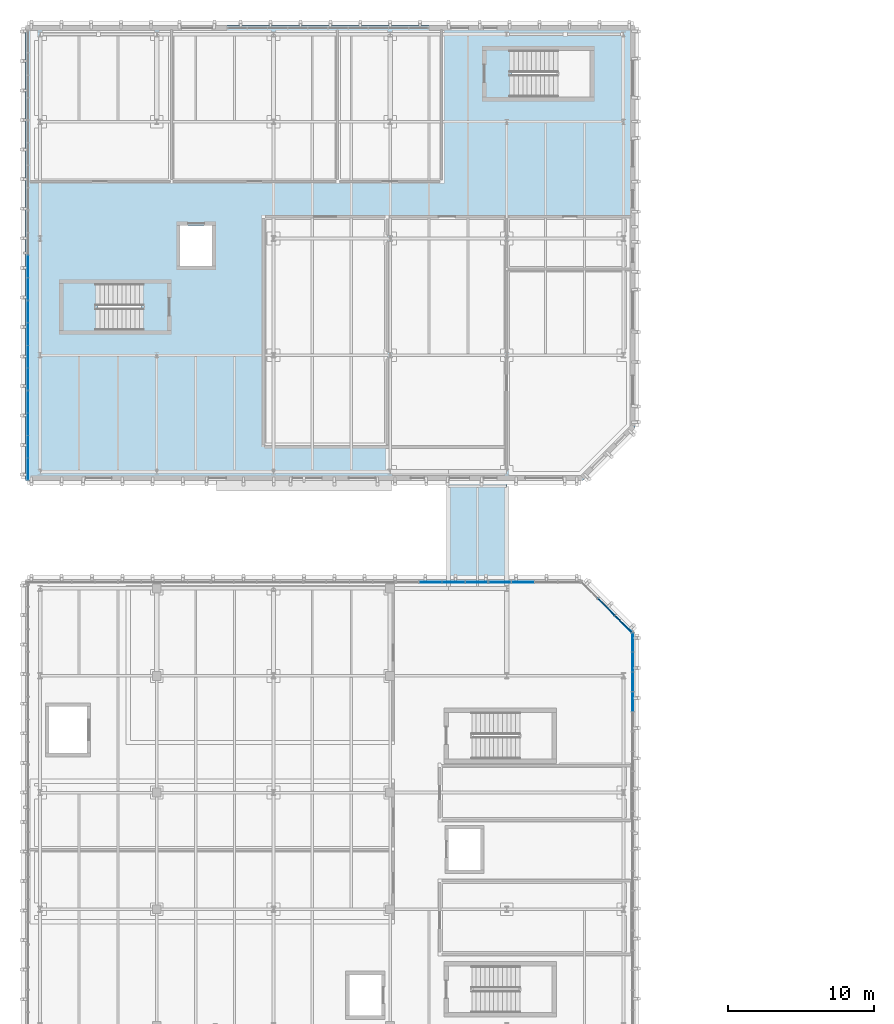
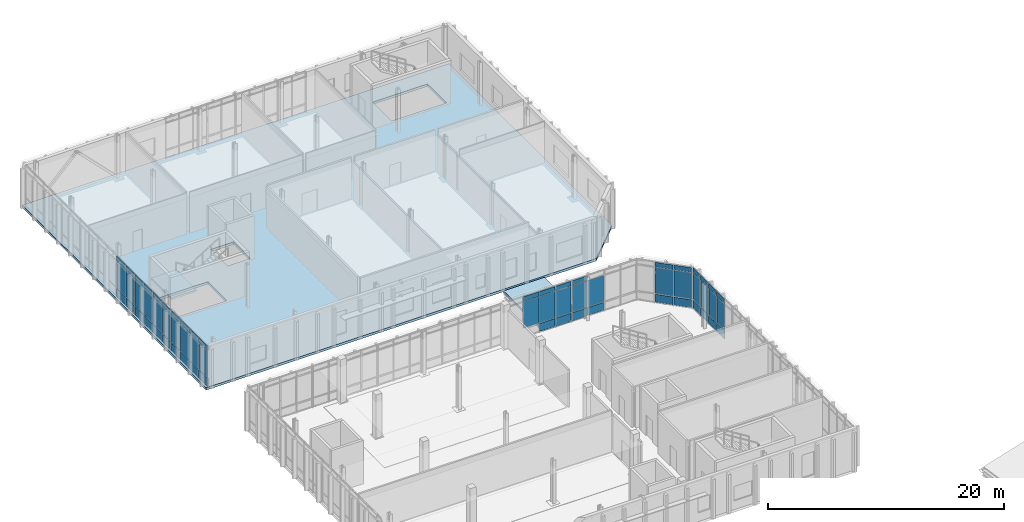
# One storey, part 33 of 62: 61 plates, 3 slabs, 8 elements without a shape of their own.
"""IFC4 building model written with IfcOpenShell, lengths in metres."""

import ifcopenshell
import ifcopenshell.guid

model = None  # the IFC model being written
_history = None  # IfcOwnerHistory: only IFC2X3 demands one
_inside = {}  # id of a spatial element -> (the spatial element, [elements in it])
_under = {}  # id of a project, library or spatial element -> (it, [spatial elements below it])
_declared = {}  # id of a project -> (the project, [libraries it declares])
_typed = {}  # id of a type object -> (the type object, [elements of that type])
_made_of = {}  # id of a material, layer set ... -> (it, [elements and type objects made of it])


def new_model(schema):
    """Start an empty IFC model of exactly this schema.

    Asked for "IFC4X3", IfcOpenShell would pick the latest addendum, in which some entities
    have other attributes; the version numbers below select the first issue.
    IFC2X3 requires an IfcOwnerHistory on every rooted entity: one is made here for all.
    """
    global model, _history
    if schema == "IFC4X3":
        model = ifcopenshell.file(schema_version=(4, 3, 0, 0))
    else:
        model = ifcopenshell.file(schema=schema)
    _inside.clear()
    _under.clear()
    _declared.clear()
    _typed.clear()
    _made_of.clear()
    _history = None
    if model.schema == "IFC2X3":
        org = make("IfcOrganization", Name="unknown")
        user = make(
            "IfcPersonAndOrganization",
            ThePerson=make("IfcPerson", FamilyName="unknown"),
            TheOrganization=org,
        )
        app = make(
            "IfcApplication",
            ApplicationDeveloper=org,
            Version="unknown",
            ApplicationFullName="unknown",
            ApplicationIdentifier="unknown",
        )
        _history = make(
            "IfcOwnerHistory",
            OwningUser=user,
            OwningApplication=app,
            ChangeAction="ADDED",
            CreationDate=0,
        )
    return model


def make(cls, **values):
    """One entity of the class cls with the attributes given. An attribute that is None is left unset."""
    return model.create_entity(
        cls, **{name: value for name, value in values.items() if value is not None}
    )


def rooted(cls, **values):
    """An entity with a GlobalId (a new one), such as an element, a storey or a relation."""
    return make(cls, GlobalId=ifcopenshell.guid.new(), OwnerHistory=_history, **values)


def si_unit(unit_type, name, prefix=None):
    """IfcSIUnit, for example si_unit("LENGTHUNIT", "METRE", prefix="MILLI")."""
    return make("IfcSIUnit", UnitType=unit_type, Prefix=prefix, Name=name)


def assignment(units):
    """IfcUnitAssignment: the units of a project."""
    return None if units is None else make("IfcUnitAssignment", Units=units)


def point(xyz):
    """IfcCartesianPoint."""
    return None if xyz is None else make("IfcCartesianPoint", Coordinates=xyz)


def direction(xyz):
    """IfcDirection."""
    return None if xyz is None else make("IfcDirection", DirectionRatios=xyz)


def frame(location, z_axis=None, x_axis=None):
    """IfcAxis2Placement3D, a coordinate frame: its origin and axes. An axis left out is left unset."""
    return make(
        "IfcAxis2Placement3D",
        Location=point(location),
        Axis=direction(z_axis),
        RefDirection=direction(x_axis),
    )


def frame_2d(location, x_axis=None):
    """IfcAxis2Placement2D, a coordinate frame in the plane: its origin and x axis."""
    return make(
        "IfcAxis2Placement2D", Location=point(location), RefDirection=direction(x_axis)
    )


def origin():
    """The frame at (0, 0, 0) with its axes left unset."""
    return frame((0.0, 0.0, 0.0))


def origin_2d():
    """The frame at (0, 0) in the plane with its x axis left unset."""
    return frame_2d((0.0, 0.0))


def place(relative_to, where):
    """IfcLocalPlacement: puts the frame where relative to a parent placement (None: the world)."""
    return make(
        "IfcLocalPlacement", PlacementRelTo=relative_to, RelativePlacement=where
    )


def context(
    kind, dimensions, precision=None, world=None, true_north=None, identifier=None
):
    """IfcGeometricRepresentationContext, for example the 3D "Model" context."""
    return make(
        "IfcGeometricRepresentationContext",
        ContextIdentifier=identifier,
        ContextType=kind,
        CoordinateSpaceDimension=dimensions,
        Precision=precision,
        WorldCoordinateSystem=world,
        TrueNorth=true_north,
    )


def subcontext(parent, identifier, kind, view, scale=None):
    """IfcGeometricRepresentationSubContext, for example "Body" below "Model"."""
    return make(
        "IfcGeometricRepresentationSubContext",
        ContextIdentifier=identifier,
        ContextType=kind,
        ParentContext=parent,
        TargetScale=scale,
        TargetView=view,
    )


def project(units=None, contexts=None):
    """IfcProject with its units and contexts."""
    return rooted(
        "IfcProject",
        Name="project",
        RepresentationContexts=contexts,
        UnitsInContext=assignment(units),
    )


def spatial(cls, under=None, at=None, **own):
    """A site, building, storey or space (cls), placed at a placement, below another one or the project."""
    s = rooted(cls, ObjectPlacement=at, **own)
    if under is not None:
        _under.setdefault(under.id(), (under, []))[1].append(s)
    return s


def polyline(points):
    """IfcPolyline through the points."""
    return make("IfcPolyline", Points=[point(p) for p in points])


def profile(cls, at=None, kind="AREA", **sizes):
    """A parametric profile (cls). Its sizes go by their IFC names, for example OverallWidth=200.0."""
    return make(cls, ProfileType=kind, Position=at, **sizes)


def rectangle(**sizes):
    """IfcRectangleProfileDef."""
    return profile("IfcRectangleProfileDef", **sizes)


def outline(outer, holes=None, kind="AREA"):
    """IfcArbitraryClosedProfileDef: a profile drawn as a closed curve; with holes, ...WithVoids."""
    if holes is None:
        return make("IfcArbitraryClosedProfileDef", ProfileType=kind, OuterCurve=outer)
    return make(
        "IfcArbitraryProfileDefWithVoids",
        ProfileType=kind,
        OuterCurve=outer,
        InnerCurves=holes,
    )


def extrude(swept, where, along, depth):
    """IfcExtrudedAreaSolid: the profile swept, set in the frame where, extruded along a direction by depth."""
    return make(
        "IfcExtrudedAreaSolid",
        SweptArea=swept,
        Position=where,
        ExtrudedDirection=direction(along),
        Depth=depth,
    )


def shape(context_of_items, identifier, shape_type, items):
    """IfcShapeRepresentation: the items that make up one representation, for example the "Body"."""
    return make(
        "IfcShapeRepresentation",
        ContextOfItems=context_of_items,
        RepresentationIdentifier=identifier,
        RepresentationType=shape_type,
        Items=items,
    )


def material(Name=None, Category=None):
    """IfcMaterial."""
    return make("IfcMaterial", Name=Name, Category=Category)


def layer(
    of_material, thickness, ventilated=None, Name=None, Category=None, Priority=None
):
    """IfcMaterialLayer: one layer of a wall or slab, of a material (None: an air gap)."""
    return make(
        "IfcMaterialLayer",
        Material=of_material,
        LayerThickness=thickness,
        IsVentilated=ventilated,
        Name=Name,
        Category=Category,
        Priority=Priority,
    )


def layer_set(layers, Name=None):
    """IfcMaterialLayerSet."""
    return make("IfcMaterialLayerSet", MaterialLayers=layers, LayerSetName=Name)


def made_of(thing, what):
    """Note that an element or type object is made of a material, layer set ...; save() writes the relation."""
    if what is not None:
        _made_of.setdefault(what.id(), (what, []))[1].append(thing)
    return thing


def type_object(cls, material=None, **own):
    """A type object (cls), such as IfcWallType, which elements share."""
    return made_of(rooted(cls, **own), material)


def element(
    cls,
    number,
    at=None,
    inside=None,
    cuts=None,
    type_object=None,
    material=None,
    context=None,
    identifier="Body",
    shape_type=None,
    held_by="IfcProductDefinitionShape",
    body=None,
    shapes=None,
    **own,
):
    """One element of the class cls, such as IfcWall. Its Tag is "e" and its number.

    at: its placement. inside: the storey or other place that contains it. cuts: it is an
    opening in that element (IfcRelVoidsElement). A single representation is given by context,
    identifier, shape_type and body (its items); several are given by shapes. held_by: the class
    of the entity that holds the representations. save() writes the other relations.
    """
    e = rooted(cls, Tag="e%d" % number, ObjectPlacement=at, **own)
    if body is not None:
        shapes = [shape(context, identifier, shape_type, body)]
    if shapes is not None:
        e.Representation = make(held_by, Representations=shapes)
    if inside is not None:
        _inside.setdefault(inside.id(), (inside, []))[1].append(e)
    if cuts is not None:
        rooted(
            "IfcRelVoidsElement", RelatingBuildingElement=cuts, RelatedOpeningElement=e
        )
    if type_object is not None:
        _typed.setdefault(type_object.id(), (type_object, []))[1].append(e)
    return made_of(e, material)


def aggregate(whole, parts):
    """IfcRelAggregates: a whole, such as a stair, and the parts it consists of."""
    return rooted("IfcRelAggregates", RelatingObject=whole, RelatedObjects=parts)


def save(model, path):
    """Write the relations noted so far, then the file.

    IfcRelAggregates (storeys below a building ...), IfcRelContainedInSpatialStructure (elements
    in a storey), IfcRelDefinesByType, IfcRelAssociatesMaterial and IfcRelDeclares: one each for
    every whole, place, type object, material and project.
    """
    for whole, parts in _under.values():
        aggregate(whole, parts)
    for where, things in _inside.values():
        rooted(
            "IfcRelContainedInSpatialStructure",
            RelatedElements=things,
            RelatingStructure=where,
        )
    for kind, things in _typed.values():
        rooted("IfcRelDefinesByType", RelatedObjects=things, RelatingType=kind)
    for what, things in _made_of.values():
        rooted("IfcRelAssociatesMaterial", RelatedObjects=things, RelatingMaterial=what)
    for by, libraries in _declared.values():
        rooted("IfcRelDeclares", RelatingContext=by, RelatedDefinitions=libraries)
    model.write(path)


model = new_model("IFC4")

# Units and contexts
model_context = context("Model", 3, precision=1e-05, world=origin(), true_north=direction((0.0, 1.0)))
body_context = subcontext(model_context, "Body", "Model", "MODEL_VIEW")
ifc_project = project(units=[si_unit("LENGTHUNIT", "METRE"), si_unit("AREAUNIT", "SQUARE_METRE"), si_unit("VOLUMEUNIT", "CUBIC_METRE"), si_unit("PLANEANGLEUNIT", "RADIAN"), si_unit("MASSUNIT", "GRAM", prefix="KILO")], contexts=[model_context])

# Site, building, storey
site_placement = place(None, origin())
site = spatial("IfcSite", under=ifc_project, at=site_placement, CompositionType="ELEMENT")
building_placement = place(site_placement, origin())
building = spatial("IfcBuilding", under=site, at=building_placement, Name="Cymarion Research Institute", CompositionType="ELEMENT")
storey_placement = place(building_placement, frame((0.0, 0.0, 18.300048828125)))
storey = spatial("IfcBuildingStorey", under=building, at=storey_placement, Name="L04", CompositionType="ELEMENT", Elevation=18.300048828125)

# Slab
ifc_material_1 = material(Name="Concrete C35/45", Category="concrete")
ifc_layer_1 = layer(ifc_material_1, 0.25)
ifc_layer_set_1 = layer_set([ifc_layer_1], Name="Concrete C35/45")
slab_type_1 = type_object("IfcSlabType", Name="COMPOSITE FLOOR SLAB SL-FL250 250MM", PredefinedType="FLOOR", material=ifc_layer_set_1)
slab_1_placement = place(storey_placement, frame((0.0, 0.0, -0.25)))
element("IfcSlab", 1, at=slab_1_placement, inside=storey, type_object=slab_type_1, Name="L04 V5 floor slab", PredefinedType="FLOOR", context=body_context, shape_type="SweptSolid", body=[
    extrude(outline(polyline([(5.60009765625, 84.89990234375), (43.800048828125, 84.89990234375), (47.39990234375, 88.5), (47.39990234375, 116.10009765625), (5.60009765625, 116.10009765625), (5.60009765625, 84.89990234375)]), holes=[polyline([(13.56005859375, 98.39990234375), (8.199951171875, 98.39990234375), (8.199951171875, 95.199951171875), (13.56005859375, 95.199951171875), (13.56005859375, 98.39990234375)]), polyline([(16.199951171875, 99.60009765625), (18.39990234375, 99.60009765625), (18.39990234375, 102.39990234375), (16.199951171875, 102.39990234375), (16.199951171875, 99.60009765625)]), polyline([(38.93994140625, 111.199951171875), (44.300048828125, 111.199951171875), (44.300048828125, 114.39990234375), (38.93994140625, 114.39990234375), (38.93994140625, 111.199951171875)])]), origin(), (0.0, 0.0, 1.0), 0.25),
])

# Curtain wall, plates
ifc_material_2 = material(Name="Anodised aluminium unitised curtain wall with Low-E glazing", Category="aluminium")
curtain_wall_type_1 = type_object("IfcCurtainWallType", Name="UNITISED CURTAIN WALL CW40 6820X4280", PredefinedType="NOTDEFINED", material=ifc_material_2)
curtain_wall_1_placement = place(storey_placement, origin())
curtain_wall_1 = element("IfcCurtainWall", 2, at=curtain_wall_1_placement, inside=storey, type_object=curtain_wall_type_1, Name="L04 V4 unitised curtain wall CW40 #180", PredefinedType="NOTDEFINED")
ifc_material_3 = material(Name="Insulated anodised aluminium spandrel panel", Category="aluminium")
ifc_layer_2 = layer(ifc_material_3, 0.06005859375)
ifc_layer_set_2 = layer_set([ifc_layer_2], Name="Insulated anodised aluminium spandrel panel")
plate_type_1 = type_object("IfcPlateType", Name="INSULATED ALUMINIUM SPANDREL PANEL SP01 60MM", PredefinedType="SHEET", material=ifc_layer_set_2)
plate_1_placement = place(storey_placement, frame((47.22998046875, 69.726318359375, 0.059814453125), z_axis=(0.0, 0.0, 1.0), x_axis=(0.0, 1.0, 0.0)))
plate_1 = element("IfcPlate", 3, at=plate_1_placement, type_object=plate_type_1, Name="CW40 panel 2.1", PredefinedType="SHEET", context=body_context, shape_type="SweptSolid", body=[
    extrude(rectangle(XDim=1.303955078125, YDim=0.06005859375, at=origin_2d()), origin(), (0.0, 0.0, 1.0), 0.81005859375),
])
plate_2_placement = place(storey_placement, frame((47.22998046875, 69.726318359375, 3.760009765625), z_axis=(0.0, 0.0, 1.0), x_axis=(0.0, 1.0, 0.0)))
plate_2 = element("IfcPlate", 4, at=plate_2_placement, type_object=plate_type_1, Name="CW40 panel 2.3", PredefinedType="SHEET", context=body_context, shape_type="SweptSolid", body=[
    extrude(rectangle(XDim=1.303955078125, YDim=0.06005859375, at=origin_2d()), origin(), (0.0, 0.0, 1.0), 0.4599609375),
])
plate_3_placement = place(storey_placement, frame((47.22998046875, 71.09033203125, 0.059814453125), z_axis=(0.0, 0.0, 1.0), x_axis=(0.0, 1.0, 0.0)))
plate_3 = element("IfcPlate", 5, at=plate_3_placement, type_object=plate_type_1, Name="CW40 panel 3.1", PredefinedType="SHEET", context=body_context, shape_type="SweptSolid", body=[
    extrude(rectangle(XDim=1.303955078125, YDim=0.06005859375, at=origin_2d()), origin(), (0.0, 0.0, 1.0), 0.81005859375),
])
plate_4_placement = place(storey_placement, frame((47.22998046875, 71.09033203125, 3.760009765625), z_axis=(0.0, 0.0, 1.0), x_axis=(0.0, 1.0, 0.0)))
plate_4 = element("IfcPlate", 6, at=plate_4_placement, type_object=plate_type_1, Name="CW40 panel 3.3", PredefinedType="SHEET", context=body_context, shape_type="SweptSolid", body=[
    extrude(rectangle(XDim=1.303955078125, YDim=0.06005859375, at=origin_2d()), origin(), (0.0, 0.0, 1.0), 0.4599609375),
])
plate_5_placement = place(storey_placement, frame((47.22998046875, 72.4541015625, 0.059814453125), z_axis=(0.0, 0.0, 1.0), x_axis=(0.0, 1.0, 0.0)))
plate_5 = element("IfcPlate", 7, at=plate_5_placement, type_object=plate_type_1, Name="CW40 panel 4.1", PredefinedType="SHEET", context=body_context, shape_type="SweptSolid", body=[
    extrude(rectangle(XDim=1.303955078125, YDim=0.06005859375, at=origin_2d()), origin(), (0.0, 0.0, 1.0), 0.81005859375),
])
plate_6_placement = place(storey_placement, frame((47.22998046875, 72.4541015625, 3.760009765625), z_axis=(0.0, 0.0, 1.0), x_axis=(0.0, 1.0, 0.0)))
plate_6 = element("IfcPlate", 8, at=plate_6_placement, type_object=plate_type_1, Name="CW40 panel 4.3", PredefinedType="SHEET", context=body_context, shape_type="SweptSolid", body=[
    extrude(rectangle(XDim=1.303955078125, YDim=0.06005859375, at=origin_2d()), origin(), (0.0, 0.0, 1.0), 0.4599609375),
])
plate_7_placement = place(storey_placement, frame((47.22998046875, 73.802978515625, 0.059814453125), z_axis=(0.0, 0.0, 1.0), x_axis=(0.0, 1.0, 0.0)))
plate_7 = element("IfcPlate", 9, at=plate_7_placement, type_object=plate_type_1, Name="CW40 panel 5.1", PredefinedType="SHEET", context=body_context, shape_type="SweptSolid", body=[
    extrude(rectangle(XDim=1.27392578125, YDim=0.06005859375, at=origin_2d()), origin(), (0.0, 0.0, 1.0), 0.81005859375),
])
plate_8_placement = place(storey_placement, frame((47.22998046875, 73.802978515625, 3.760009765625), z_axis=(0.0, 0.0, 1.0), x_axis=(0.0, 1.0, 0.0)))
plate_8 = element("IfcPlate", 10, at=plate_8_placement, type_object=plate_type_1, Name="CW40 panel 5.3", PredefinedType="SHEET", context=body_context, shape_type="SweptSolid", body=[
    extrude(rectangle(XDim=1.27392578125, YDim=0.06005859375, at=origin_2d()), origin(), (0.0, 0.0, 1.0), 0.4599609375),
])

curtain_wall_type_2 = type_object("IfcCurtainWallType", Name="UNITISED CURTAIN WALL CW41 4970X4240", PredefinedType="NOTDEFINED", material=ifc_material_2)
curtain_wall_2_placement = place(storey_placement, origin())
curtain_wall_2 = element("IfcCurtainWall", 11, at=curtain_wall_2_placement, inside=storey, type_object=curtain_wall_type_2, Name="L04 V4 unitised curtain wall CW41 #181", PredefinedType="NOTDEFINED")
plate_9_placement = place(storey_placement, frame((46.5966796875, 75.062744140625, 0.059814453125), z_axis=(0.0, 0.0, 1.0), x_axis=(-0.707096717405, 0.707116844825, 0.0)))
plate_9 = element("IfcPlate", 12, at=plate_9_placement, type_object=plate_type_1, Name="CW41 panel 1.1", PredefinedType="SHEET", context=body_context, shape_type="SweptSolid", body=[
    extrude(rectangle(XDim=1.566162109375, YDim=0.06005859375, at=origin_2d()), origin(), (0.0, 0.0, 1.0), 0.81005859375),
])
plate_10_placement = place(storey_placement, frame((46.5966796875, 75.062744140625, 3.719970703125), z_axis=(0.0, 0.0, 1.0), x_axis=(-0.707096717405, 0.707116844825, 0.0)))
plate_10 = element("IfcPlate", 13, at=plate_10_placement, type_object=plate_type_1, Name="CW41 panel 1.3", PredefinedType="SHEET", context=body_context, shape_type="SweptSolid", body=[
    extrude(rectangle(XDim=1.566162109375, YDim=0.06005859375, at=origin_2d()), origin(), (0.0, 0.0, 1.0), 0.4599609375),
])
plate_11_placement = place(storey_placement, frame((45.436279296875, 76.22314453125, 0.059814453125), z_axis=(0.0, 0.0, 1.0), x_axis=(-0.707096717405, 0.707116844825, 0.0)))
plate_11 = element("IfcPlate", 14, at=plate_11_placement, type_object=plate_type_1, Name="CW41 panel 2.1", PredefinedType="SHEET", context=body_context, shape_type="SweptSolid", body=[
    extrude(rectangle(XDim=1.59619140625, YDim=0.06005859375, at=origin_2d()), origin(), (0.0, 0.0, 1.0), 0.81005859375),
])
plate_12_placement = place(storey_placement, frame((45.436279296875, 76.22314453125, 3.719970703125), z_axis=(0.0, 0.0, 1.0), x_axis=(-0.707096717405, 0.707116844825, 0.0)))
plate_12 = element("IfcPlate", 15, at=plate_12_placement, type_object=plate_type_1, Name="CW41 panel 2.3", PredefinedType="SHEET", context=body_context, shape_type="SweptSolid", body=[
    extrude(rectangle(XDim=1.59619140625, YDim=0.06005859375, at=origin_2d()), origin(), (0.0, 0.0, 1.0), 0.4599609375),
])

curtain_wall_type_3 = type_object("IfcCurtainWallType", Name="UNITISED CURTAIN WALL CW42 6350X4240", PredefinedType="NOTDEFINED", material=ifc_material_2)
curtain_wall_3_placement = place(storey_placement, origin())
curtain_wall_3 = element("IfcCurtainWall", 16, at=curtain_wall_3_placement, inside=storey, type_object=curtain_wall_type_3, Name="L04 V4 unitised curtain wall CW42 #182", PredefinedType="NOTDEFINED")
plate_13_placement = place(storey_placement, frame((39.7109375, 77.929931640625, 0.059814453125), z_axis=(0.0, 0.0, 1.0), x_axis=(-1.0, 0.0, 0.0)))
plate_13 = element("IfcPlate", 17, at=plate_13_placement, type_object=plate_type_1, Name="CW42 panel 3.1", PredefinedType="SHEET", context=body_context, shape_type="SweptSolid", body=[
    extrude(rectangle(XDim=1.526611328125, YDim=0.06005859375, at=origin_2d()), origin(), (0.0, 0.0, 1.0), 0.81005859375),
])
plate_14_placement = place(storey_placement, frame((38.13916015625, 77.929931640625, 0.059814453125), z_axis=(0.0, 0.0, 1.0), x_axis=(-1.0, 0.0, 0.0)))
plate_14 = element("IfcPlate", 18, at=plate_14_placement, type_object=plate_type_1, Name="CW42 panel 4.1", PredefinedType="SHEET", context=body_context, shape_type="SweptSolid", body=[
    extrude(rectangle(XDim=1.49658203125, YDim=0.06005859375, at=origin_2d()), origin(), (0.0, 0.0, 1.0), 0.81005859375),
])
plate_15_placement = place(storey_placement, frame((38.13916015625, 77.929931640625, 3.719970703125), z_axis=(0.0, 0.0, 1.0), x_axis=(-1.0, 0.0, 0.0)))
plate_15 = element("IfcPlate", 19, at=plate_15_placement, type_object=plate_type_1, Name="CW42 panel 4.3", PredefinedType="SHEET", context=body_context, shape_type="SweptSolid", body=[
    extrude(rectangle(XDim=1.49658203125, YDim=0.06005859375, at=origin_2d()), origin(), (0.0, 0.0, 1.0), 0.4599609375),
])

curtain_wall_4_placement = place(storey_placement, origin())
curtain_wall_4 = element("IfcCurtainWall", 20, at=curtain_wall_4_placement, inside=storey, type_object=curtain_wall_type_3, Name="L04 V4 unitised curtain wall CW42 #183", PredefinedType="NOTDEFINED")
plate_16_placement = place(storey_placement, frame((36.522705078125, 77.929931640625, 0.059814453125), z_axis=(0.0, 0.0, 1.0), x_axis=(-1.0, 0.0, 0.0)))
plate_16 = element("IfcPlate", 21, at=plate_16_placement, type_object=plate_type_1, Name="CW42 panel 1.1", PredefinedType="SHEET", context=body_context, shape_type="SweptSolid", body=[
    extrude(rectangle(XDim=1.49658203125, YDim=0.06005859375, at=origin_2d()), origin(), (0.0, 0.0, 1.0), 0.81005859375),
])
plate_17_placement = place(storey_placement, frame((36.522705078125, 77.929931640625, 3.719970703125), z_axis=(0.0, 0.0, 1.0), x_axis=(-1.0, 0.0, 0.0)))
plate_17 = element("IfcPlate", 22, at=plate_17_placement, type_object=plate_type_1, Name="CW42 panel 1.3", PredefinedType="SHEET", context=body_context, shape_type="SweptSolid", body=[
    extrude(rectangle(XDim=1.49658203125, YDim=0.06005859375, at=origin_2d()), origin(), (0.0, 0.0, 1.0), 0.4599609375),
])
plate_18_placement = place(storey_placement, frame((34.951171875, 77.929931640625, 0.059814453125), z_axis=(0.0, 0.0, 1.0), x_axis=(-1.0, 0.0, 0.0)))
plate_18 = element("IfcPlate", 23, at=plate_18_placement, type_object=plate_type_1, Name="CW42 panel 2.1", PredefinedType="SHEET", context=body_context, shape_type="SweptSolid", body=[
    extrude(rectangle(XDim=1.526611328125, YDim=0.06005859375, at=origin_2d()), origin(), (0.0, 0.0, 1.0), 0.81005859375),
])
plate_19_placement = place(storey_placement, frame((34.951171875, 77.929931640625, 3.719970703125), z_axis=(0.0, 0.0, 1.0), x_axis=(-1.0, 0.0, 0.0)))
plate_19 = element("IfcPlate", 24, at=plate_19_placement, type_object=plate_type_1, Name="CW42 panel 2.3", PredefinedType="SHEET", context=body_context, shape_type="SweptSolid", body=[
    extrude(rectangle(XDim=1.526611328125, YDim=0.06005859375, at=origin_2d()), origin(), (0.0, 0.0, 1.0), 0.4599609375),
])
plate_20_placement = place(storey_placement, frame((33.36474609375, 77.929931640625, 3.719970703125), z_axis=(0.0, 0.0, 1.0), x_axis=(-1.0, 0.0, 0.0)))
plate_20 = element("IfcPlate", 25, at=plate_20_placement, type_object=plate_type_1, Name="CW42 panel 3.3", PredefinedType="SHEET", context=body_context, shape_type="SweptSolid", body=[
    extrude(rectangle(XDim=1.526611328125, YDim=0.06005859375, at=origin_2d()), origin(), (0.0, 0.0, 1.0), 0.4599609375),
])

curtain_wall_type_4 = type_object("IfcCurtainWallType", Name="UNITISED CURTAIN WALL CW45 6180X4280", PredefinedType="NOTDEFINED", material=ifc_material_2)
curtain_wall_5_placement = place(storey_placement, origin())
curtain_wall_5 = element("IfcCurtainWall", 26, at=curtain_wall_5_placement, inside=storey, type_object=curtain_wall_type_4, Name="L04 V5 unitised curtain wall CW45 #197", PredefinedType="NOTDEFINED")
plate_21_placement = place(storey_placement, frame((5.77001953125, 99.567138671875, 0.059814453125), z_axis=(0.0, 0.0, 1.0), x_axis=(0.0, -1.0, 0.0)))
plate_21 = element("IfcPlate", 27, at=plate_21_placement, type_object=plate_type_1, Name="CW45 panel 3.1", PredefinedType="SHEET", context=body_context, shape_type="SweptSolid", body=[
    extrude(rectangle(XDim=1.48388671875, YDim=0.06005859375, at=origin_2d()), origin(), (0.0, 0.0, 1.0), 0.81005859375),
])
plate_22_placement = place(storey_placement, frame((5.77001953125, 99.567138671875, 3.760009765625), z_axis=(0.0, 0.0, 1.0), x_axis=(0.0, -1.0, 0.0)))
plate_22 = element("IfcPlate", 28, at=plate_22_placement, type_object=plate_type_1, Name="CW45 panel 3.3", PredefinedType="SHEET", context=body_context, shape_type="SweptSolid", body=[
    extrude(rectangle(XDim=1.48388671875, YDim=0.06005859375, at=origin_2d()), origin(), (0.0, 0.0, 1.0), 0.4599609375),
])
plate_23_placement = place(storey_placement, frame((5.77001953125, 98.0380859375, 0.059814453125), z_axis=(0.0, 0.0, 1.0), x_axis=(0.0, -1.0, 0.0)))
plate_23 = element("IfcPlate", 29, at=plate_23_placement, type_object=plate_type_1, Name="CW45 panel 4.1", PredefinedType="SHEET", context=body_context, shape_type="SweptSolid", body=[
    extrude(rectangle(XDim=1.453857421875, YDim=0.06005859375, at=origin_2d()), origin(), (0.0, 0.0, 1.0), 0.81005859375),
])
plate_24_placement = place(storey_placement, frame((5.77001953125, 98.0380859375, 3.760009765625), z_axis=(0.0, 0.0, 1.0), x_axis=(0.0, -1.0, 0.0)))
plate_24 = element("IfcPlate", 30, at=plate_24_placement, type_object=plate_type_1, Name="CW45 panel 4.3", PredefinedType="SHEET", context=body_context, shape_type="SweptSolid", body=[
    extrude(rectangle(XDim=1.453857421875, YDim=0.06005859375, at=origin_2d()), origin(), (0.0, 0.0, 1.0), 0.4599609375),
])

curtain_wall_6_placement = place(storey_placement, origin())
curtain_wall_6 = element("IfcCurtainWall", 31, at=curtain_wall_6_placement, inside=storey, type_object=curtain_wall_type_4, Name="L04 V5 unitised curtain wall CW45 #198", PredefinedType="NOTDEFINED")
plate_25_placement = place(storey_placement, frame((5.77001953125, 96.46435546875, 0.059814453125), z_axis=(0.0, 0.0, 1.0), x_axis=(0.0, -1.0, 0.0)))
plate_25 = element("IfcPlate", 32, at=plate_25_placement, type_object=plate_type_1, Name="CW45 panel 1.1", PredefinedType="SHEET", context=body_context, shape_type="SweptSolid", body=[
    extrude(rectangle(XDim=1.453857421875, YDim=0.06005859375, at=origin_2d()), origin(), (0.0, 0.0, 1.0), 0.81005859375),
])
plate_26_placement = place(storey_placement, frame((5.77001953125, 96.46435546875, 3.760009765625), z_axis=(0.0, 0.0, 1.0), x_axis=(0.0, -1.0, 0.0)))
plate_26 = element("IfcPlate", 33, at=plate_26_placement, type_object=plate_type_1, Name="CW45 panel 1.3", PredefinedType="SHEET", context=body_context, shape_type="SweptSolid", body=[
    extrude(rectangle(XDim=1.453857421875, YDim=0.06005859375, at=origin_2d()), origin(), (0.0, 0.0, 1.0), 0.4599609375),
])
plate_27_placement = place(storey_placement, frame((5.77001953125, 94.935302734375, 0.059814453125), z_axis=(0.0, 0.0, 1.0), x_axis=(0.0, -1.0, 0.0)))
plate_27 = element("IfcPlate", 34, at=plate_27_placement, type_object=plate_type_1, Name="CW45 panel 2.1", PredefinedType="SHEET", context=body_context, shape_type="SweptSolid", body=[
    extrude(rectangle(XDim=1.48388671875, YDim=0.06005859375, at=origin_2d()), origin(), (0.0, 0.0, 1.0), 0.81005859375),
])
plate_28_placement = place(storey_placement, frame((5.77001953125, 94.935302734375, 3.760009765625), z_axis=(0.0, 0.0, 1.0), x_axis=(0.0, -1.0, 0.0)))
plate_28 = element("IfcPlate", 35, at=plate_28_placement, type_object=plate_type_1, Name="CW45 panel 2.3", PredefinedType="SHEET", context=body_context, shape_type="SweptSolid", body=[
    extrude(rectangle(XDim=1.48388671875, YDim=0.06005859375, at=origin_2d()), origin(), (0.0, 0.0, 1.0), 0.4599609375),
])
plate_29_placement = place(storey_placement, frame((5.77001953125, 93.391357421875, 0.059814453125), z_axis=(0.0, 0.0, 1.0), x_axis=(0.0, -1.0, 0.0)))
plate_29 = element("IfcPlate", 36, at=plate_29_placement, type_object=plate_type_1, Name="CW45 panel 3.1", PredefinedType="SHEET", context=body_context, shape_type="SweptSolid", body=[
    extrude(rectangle(XDim=1.48388671875, YDim=0.06005859375, at=origin_2d()), origin(), (0.0, 0.0, 1.0), 0.81005859375),
])
plate_30_placement = place(storey_placement, frame((5.77001953125, 93.391357421875, 3.760009765625), z_axis=(0.0, 0.0, 1.0), x_axis=(0.0, -1.0, 0.0)))
plate_30 = element("IfcPlate", 37, at=plate_30_placement, type_object=plate_type_1, Name="CW45 panel 3.3", PredefinedType="SHEET", context=body_context, shape_type="SweptSolid", body=[
    extrude(rectangle(XDim=1.48388671875, YDim=0.06005859375, at=origin_2d()), origin(), (0.0, 0.0, 1.0), 0.4599609375),
])
plate_31_placement = place(storey_placement, frame((5.77001953125, 91.862548828125, 0.059814453125), z_axis=(0.0, 0.0, 1.0), x_axis=(0.0, -1.0, 0.0)))
plate_31 = element("IfcPlate", 38, at=plate_31_placement, type_object=plate_type_1, Name="CW45 panel 4.1", PredefinedType="SHEET", context=body_context, shape_type="SweptSolid", body=[
    extrude(rectangle(XDim=1.453857421875, YDim=0.06005859375, at=origin_2d()), origin(), (0.0, 0.0, 1.0), 0.81005859375),
])
plate_32_placement = place(storey_placement, frame((5.77001953125, 91.862548828125, 3.760009765625), z_axis=(0.0, 0.0, 1.0), x_axis=(0.0, -1.0, 0.0)))
plate_32 = element("IfcPlate", 39, at=plate_32_placement, type_object=plate_type_1, Name="CW45 panel 4.3", PredefinedType="SHEET", context=body_context, shape_type="SweptSolid", body=[
    extrude(rectangle(XDim=1.453857421875, YDim=0.06005859375, at=origin_2d()), origin(), (0.0, 0.0, 1.0), 0.4599609375),
])

curtain_wall_7_placement = place(storey_placement, origin())
curtain_wall_7 = element("IfcCurtainWall", 40, at=curtain_wall_7_placement, inside=storey, type_object=curtain_wall_type_4, Name="L04 V5 unitised curtain wall CW45 #199", PredefinedType="NOTDEFINED")
plate_33_placement = place(storey_placement, frame((5.77001953125, 90.28857421875, 0.059814453125), z_axis=(0.0, 0.0, 1.0), x_axis=(0.0, -1.0, 0.0)))
plate_33 = element("IfcPlate", 41, at=plate_33_placement, type_object=plate_type_1, Name="CW45 panel 1.1", PredefinedType="SHEET", context=body_context, shape_type="SweptSolid", body=[
    extrude(rectangle(XDim=1.453857421875, YDim=0.06005859375, at=origin_2d()), origin(), (0.0, 0.0, 1.0), 0.81005859375),
])
plate_34_placement = place(storey_placement, frame((5.77001953125, 90.28857421875, 3.760009765625), z_axis=(0.0, 0.0, 1.0), x_axis=(0.0, -1.0, 0.0)))
plate_34 = element("IfcPlate", 42, at=plate_34_placement, type_object=plate_type_1, Name="CW45 panel 1.3", PredefinedType="SHEET", context=body_context, shape_type="SweptSolid", body=[
    extrude(rectangle(XDim=1.453857421875, YDim=0.06005859375, at=origin_2d()), origin(), (0.0, 0.0, 1.0), 0.4599609375),
])
plate_35_placement = place(storey_placement, frame((5.77001953125, 88.759765625, 0.059814453125), z_axis=(0.0, 0.0, 1.0), x_axis=(0.0, -1.0, 0.0)))
plate_35 = element("IfcPlate", 43, at=plate_35_placement, type_object=plate_type_1, Name="CW45 panel 2.1", PredefinedType="SHEET", context=body_context, shape_type="SweptSolid", body=[
    extrude(rectangle(XDim=1.48388671875, YDim=0.06005859375, at=origin_2d()), origin(), (0.0, 0.0, 1.0), 0.81005859375),
])
plate_36_placement = place(storey_placement, frame((5.77001953125, 88.759765625, 3.760009765625), z_axis=(0.0, 0.0, 1.0), x_axis=(0.0, -1.0, 0.0)))
plate_36 = element("IfcPlate", 44, at=plate_36_placement, type_object=plate_type_1, Name="CW45 panel 2.3", PredefinedType="SHEET", context=body_context, shape_type="SweptSolid", body=[
    extrude(rectangle(XDim=1.48388671875, YDim=0.06005859375, at=origin_2d()), origin(), (0.0, 0.0, 1.0), 0.4599609375),
])
plate_37_placement = place(storey_placement, frame((5.77001953125, 87.2158203125, 0.059814453125), z_axis=(0.0, 0.0, 1.0), x_axis=(0.0, -1.0, 0.0)))
plate_37 = element("IfcPlate", 45, at=plate_37_placement, type_object=plate_type_1, Name="CW45 panel 3.1", PredefinedType="SHEET", context=body_context, shape_type="SweptSolid", body=[
    extrude(rectangle(XDim=1.48388671875, YDim=0.06005859375, at=origin_2d()), origin(), (0.0, 0.0, 1.0), 0.81005859375),
])
plate_38_placement = place(storey_placement, frame((5.77001953125, 87.2158203125, 3.760009765625), z_axis=(0.0, 0.0, 1.0), x_axis=(0.0, -1.0, 0.0)))
plate_38 = element("IfcPlate", 46, at=plate_38_placement, type_object=plate_type_1, Name="CW45 panel 3.3", PredefinedType="SHEET", context=body_context, shape_type="SweptSolid", body=[
    extrude(rectangle(XDim=1.48388671875, YDim=0.06005859375, at=origin_2d()), origin(), (0.0, 0.0, 1.0), 0.4599609375),
])
plate_39_placement = place(storey_placement, frame((5.77001953125, 85.68701171875, 0.059814453125), z_axis=(0.0, 0.0, 1.0), x_axis=(0.0, -1.0, 0.0)))
plate_39 = element("IfcPlate", 47, at=plate_39_placement, type_object=plate_type_1, Name="CW45 panel 4.1", PredefinedType="SHEET", context=body_context, shape_type="SweptSolid", body=[
    extrude(rectangle(XDim=1.453857421875, YDim=0.06005859375, at=origin_2d()), origin(), (0.0, 0.0, 1.0), 0.81005859375),
])
plate_40_placement = place(storey_placement, frame((5.77001953125, 85.68701171875, 3.760009765625), z_axis=(0.0, 0.0, 1.0), x_axis=(0.0, -1.0, 0.0)))
plate_40 = element("IfcPlate", 48, at=plate_40_placement, type_object=plate_type_1, Name="CW45 panel 4.3", PredefinedType="SHEET", context=body_context, shape_type="SweptSolid", body=[
    extrude(rectangle(XDim=1.453857421875, YDim=0.06005859375, at=origin_2d()), origin(), (0.0, 0.0, 1.0), 0.4599609375),
])

# Stair, slab
stair_type = type_object("IfcStairType", Name="REINFORCED CONCRETE DOGLEG STAIR STR-4500", PredefinedType="HALF_TURN_STAIR", material=ifc_material_1)
stair_placement = place(storey_placement, origin())
stair = element("IfcStair", 49, at=stair_placement, inside=storey, type_object=stair_type, Name="L04 Core C9 Smoke-Proof Exit Stair ST9", PredefinedType="HALF_TURN_STAIR")
ifc_layer_3 = layer(ifc_material_1, 0.199951171875)
ifc_layer_set_3 = layer_set([ifc_layer_3], Name="Concrete C35/45")
slab_type_2 = type_object("IfcSlabType", Name="REINFORCED CONCRETE STAIR LANDING LDG200", PredefinedType="LANDING", material=ifc_layer_set_3)
slab_2_placement = place(storey_placement, frame((0.0, 0.0, 2.050048828125)))
slab_2 = element("IfcSlab", 50, at=slab_2_placement, type_object=slab_type_2, Name="ST9 landing 1", PredefinedType="LANDING", context=body_context, shape_type="SweptSolid", body=[
    extrude(outline(polyline([(10.52001953125, 98.52001953125), (10.52001953125, 95.080078125), (8.080078125, 95.080078125), (8.080078125, 98.52001953125), (10.52001953125, 98.52001953125)])), origin(), (0.0, 0.0, 1.0), 0.199951171875),
])
aggregate(stair, [slab_2])

# Slab
ifc_layer_4 = layer(ifc_material_1, 0.239990234375)
ifc_layer_set_4 = layer_set([ifc_layer_4], Name="Concrete C35/45")
slab_type_3 = type_object("IfcSlabType", Name="ROOF SLAB SL-RF240 240MM", PredefinedType="ROOF", material=ifc_layer_set_4)
slab_3_placement = place(storey_placement, frame((0.0, 0.0, -0.239990234375)))
element("IfcSlab", 51, at=slab_3_placement, inside=storey, type_object=slab_type_3, Name="L04 insulated flat roof deck ROOF-L04-SP2", PredefinedType="ROOF", context=body_context, shape_type="SweptSolid", body=[
    extrude(outline(polyline([(34.60009765625, 78.10009765625), (38.60009765625, 78.10009765625), (38.60009765625, 84.699951171875), (34.60009765625, 84.699951171875), (34.60009765625, 78.10009765625)])), origin(), (0.0, 0.0, 1.0), 0.239990234375),
])

# Plate
ifc_material_4 = material(Name="Low-E double solar-control glazing", Category="glass")
ifc_layer_5 = layer(ifc_material_4, 0.035888671875)
ifc_layer_set_5 = layer_set([ifc_layer_5], Name="Low-E double solar-control glazing")
plate_type_2 = type_object("IfcPlateType", Name="SOLAR CONTROL GLAZED VISION PANEL GP01 36MM", PredefinedType="CURTAIN_PANEL", material=ifc_layer_set_5)
plate_41_placement = place(storey_placement, frame((47.22998046875, 69.726318359375, 0.929931640625), z_axis=(0.0, 0.0, 1.0), x_axis=(0.0, 1.0, 0.0)))
plate_41 = element("IfcPlate", 52, at=plate_41_placement, type_object=plate_type_2, Name="CW40 panel 2.2", PredefinedType="CURTAIN_PANEL", context=body_context, shape_type="SweptSolid", body=[
    extrude(rectangle(XDim=1.303955078125, YDim=0.035888671875, at=origin_2d()), origin(), (0.0, 0.0, 1.0), 2.77001953125),
])

plate_42_placement = place(storey_placement, frame((47.22998046875, 71.09033203125, 0.929931640625), z_axis=(0.0, 0.0, 1.0), x_axis=(0.0, 1.0, 0.0)))
plate_42 = element("IfcPlate", 53, at=plate_42_placement, type_object=plate_type_2, Name="CW40 panel 3.2", PredefinedType="CURTAIN_PANEL", context=body_context, shape_type="SweptSolid", body=[
    extrude(rectangle(XDim=1.303955078125, YDim=0.035888671875, at=origin_2d()), origin(), (0.0, 0.0, 1.0), 2.77001953125),
])

plate_43_placement = place(storey_placement, frame((47.22998046875, 72.4541015625, 0.929931640625), z_axis=(0.0, 0.0, 1.0), x_axis=(0.0, 1.0, 0.0)))
plate_43 = element("IfcPlate", 54, at=plate_43_placement, type_object=plate_type_2, Name="CW40 panel 4.2", PredefinedType="CURTAIN_PANEL", context=body_context, shape_type="SweptSolid", body=[
    extrude(rectangle(XDim=1.303955078125, YDim=0.035888671875, at=origin_2d()), origin(), (0.0, 0.0, 1.0), 2.77001953125),
])

plate_44_placement = place(storey_placement, frame((47.22998046875, 73.802978515625, 0.929931640625), z_axis=(0.0, 0.0, 1.0), x_axis=(0.0, 1.0, 0.0)))
plate_44 = element("IfcPlate", 55, at=plate_44_placement, type_object=plate_type_2, Name="CW40 panel 5.2", PredefinedType="CURTAIN_PANEL", context=body_context, shape_type="SweptSolid", body=[
    extrude(rectangle(XDim=1.27392578125, YDim=0.035888671875, at=origin_2d()), origin(), (0.0, 0.0, 1.0), 2.77001953125),
])

aggregate(curtain_wall_1, [plate_1, plate_41, plate_2, plate_3, plate_42, plate_4, plate_5, plate_43, plate_6, plate_7, plate_44, plate_8])

plate_45_placement = place(storey_placement, frame((46.5966796875, 75.062744140625, 0.929931640625), z_axis=(0.0, 0.0, 1.0), x_axis=(-0.707096717405, 0.707116844825, 0.0)))
plate_45 = element("IfcPlate", 56, at=plate_45_placement, type_object=plate_type_2, Name="CW41 panel 1.2", PredefinedType="CURTAIN_PANEL", context=body_context, shape_type="SweptSolid", body=[
    extrude(rectangle(XDim=1.566162109375, YDim=0.035888671875, at=origin_2d()), origin(), (0.0, 0.0, 1.0), 2.72998046875),
])

plate_46_placement = place(storey_placement, frame((45.436279296875, 76.22314453125, 0.929931640625), z_axis=(0.0, 0.0, 1.0), x_axis=(-0.707096717405, 0.707116844825, 0.0)))
plate_46 = element("IfcPlate", 57, at=plate_46_placement, type_object=plate_type_2, Name="CW41 panel 2.2", PredefinedType="CURTAIN_PANEL", context=body_context, shape_type="SweptSolid", body=[
    extrude(rectangle(XDim=1.59619140625, YDim=0.035888671875, at=origin_2d()), origin(), (0.0, 0.0, 1.0), 2.72998046875),
])

aggregate(curtain_wall_2, [plate_9, plate_45, plate_10, plate_11, plate_46, plate_12])

plate_47_placement = place(storey_placement, frame((39.7109375, 77.929931640625, 0.929931640625), z_axis=(0.0, 0.0, 1.0), x_axis=(-1.0, 0.0, 0.0)))
plate_47 = element("IfcPlate", 58, at=plate_47_placement, type_object=plate_type_2, Name="CW42 panel 3.2", PredefinedType="CURTAIN_PANEL", context=body_context, shape_type="SweptSolid", body=[
    extrude(rectangle(XDim=1.526611328125, YDim=0.035888671875, at=origin_2d()), origin(), (0.0, 0.0, 1.0), 2.72998046875),
])

plate_48_placement = place(storey_placement, frame((38.13916015625, 77.929931640625, 0.929931640625), z_axis=(0.0, 0.0, 1.0), x_axis=(-1.0, 0.0, 0.0)))
plate_48 = element("IfcPlate", 59, at=plate_48_placement, type_object=plate_type_2, Name="CW42 panel 4.2", PredefinedType="CURTAIN_PANEL", context=body_context, shape_type="SweptSolid", body=[
    extrude(rectangle(XDim=1.49658203125, YDim=0.035888671875, at=origin_2d()), origin(), (0.0, 0.0, 1.0), 2.72998046875),
])

aggregate(curtain_wall_3, [plate_13, plate_47, plate_14, plate_48, plate_15])

plate_49_placement = place(storey_placement, frame((36.522705078125, 77.929931640625, 0.929931640625), z_axis=(0.0, 0.0, 1.0), x_axis=(-1.0, 0.0, 0.0)))
plate_49 = element("IfcPlate", 60, at=plate_49_placement, type_object=plate_type_2, Name="CW42 panel 1.2", PredefinedType="CURTAIN_PANEL", context=body_context, shape_type="SweptSolid", body=[
    extrude(rectangle(XDim=1.49658203125, YDim=0.035888671875, at=origin_2d()), origin(), (0.0, 0.0, 1.0), 2.72998046875),
])

plate_50_placement = place(storey_placement, frame((34.951171875, 77.929931640625, 0.929931640625), z_axis=(0.0, 0.0, 1.0), x_axis=(-1.0, 0.0, 0.0)))
plate_50 = element("IfcPlate", 61, at=plate_50_placement, type_object=plate_type_2, Name="CW42 panel 2.2", PredefinedType="CURTAIN_PANEL", context=body_context, shape_type="SweptSolid", body=[
    extrude(rectangle(XDim=1.526611328125, YDim=0.035888671875, at=origin_2d()), origin(), (0.0, 0.0, 1.0), 2.72998046875),
])

plate_51_placement = place(storey_placement, frame((33.36474609375, 77.929931640625, 0.929931640625), z_axis=(0.0, 0.0, 1.0), x_axis=(-1.0, 0.0, 0.0)))
plate_51 = element("IfcPlate", 62, at=plate_51_placement, type_object=plate_type_2, Name="CW42 panel 3.2", PredefinedType="CURTAIN_PANEL", context=body_context, shape_type="SweptSolid", body=[
    extrude(rectangle(XDim=1.526611328125, YDim=0.035888671875, at=origin_2d()), origin(), (0.0, 0.0, 1.0), 2.72998046875),
])

aggregate(curtain_wall_4, [plate_16, plate_49, plate_17, plate_18, plate_50, plate_19, plate_51, plate_20])

plate_52_placement = place(storey_placement, frame((5.77001953125, 99.567138671875, 0.929931640625), z_axis=(0.0, 0.0, 1.0), x_axis=(0.0, -1.0, 0.0)))
plate_52 = element("IfcPlate", 63, at=plate_52_placement, type_object=plate_type_2, Name="CW45 panel 3.2", PredefinedType="CURTAIN_PANEL", context=body_context, shape_type="SweptSolid", body=[
    extrude(rectangle(XDim=1.48388671875, YDim=0.035888671875, at=origin_2d()), origin(), (0.0, 0.0, 1.0), 2.77001953125),
])

plate_53_placement = place(storey_placement, frame((5.77001953125, 98.0380859375, 0.929931640625), z_axis=(0.0, 0.0, 1.0), x_axis=(0.0, -1.0, 0.0)))
plate_53 = element("IfcPlate", 64, at=plate_53_placement, type_object=plate_type_2, Name="CW45 panel 4.2", PredefinedType="CURTAIN_PANEL", context=body_context, shape_type="SweptSolid", body=[
    extrude(rectangle(XDim=1.453857421875, YDim=0.035888671875, at=origin_2d()), origin(), (0.0, 0.0, 1.0), 2.77001953125),
])

aggregate(curtain_wall_5, [plate_21, plate_52, plate_22, plate_23, plate_53, plate_24])

plate_54_placement = place(storey_placement, frame((5.77001953125, 96.46435546875, 0.929931640625), z_axis=(0.0, 0.0, 1.0), x_axis=(0.0, -1.0, 0.0)))
plate_54 = element("IfcPlate", 65, at=plate_54_placement, type_object=plate_type_2, Name="CW45 panel 1.2", PredefinedType="CURTAIN_PANEL", context=body_context, shape_type="SweptSolid", body=[
    extrude(rectangle(XDim=1.453857421875, YDim=0.035888671875, at=origin_2d()), origin(), (0.0, 0.0, 1.0), 2.77001953125),
])

plate_55_placement = place(storey_placement, frame((5.77001953125, 94.935302734375, 0.929931640625), z_axis=(0.0, 0.0, 1.0), x_axis=(0.0, -1.0, 0.0)))
plate_55 = element("IfcPlate", 66, at=plate_55_placement, type_object=plate_type_2, Name="CW45 panel 2.2", PredefinedType="CURTAIN_PANEL", context=body_context, shape_type="SweptSolid", body=[
    extrude(rectangle(XDim=1.48388671875, YDim=0.035888671875, at=origin_2d()), origin(), (0.0, 0.0, 1.0), 2.77001953125),
])

plate_56_placement = place(storey_placement, frame((5.77001953125, 93.391357421875, 0.929931640625), z_axis=(0.0, 0.0, 1.0), x_axis=(0.0, -1.0, 0.0)))
plate_56 = element("IfcPlate", 67, at=plate_56_placement, type_object=plate_type_2, Name="CW45 panel 3.2", PredefinedType="CURTAIN_PANEL", context=body_context, shape_type="SweptSolid", body=[
    extrude(rectangle(XDim=1.48388671875, YDim=0.035888671875, at=origin_2d()), origin(), (0.0, 0.0, 1.0), 2.77001953125),
])

plate_57_placement = place(storey_placement, frame((5.77001953125, 91.862548828125, 0.929931640625), z_axis=(0.0, 0.0, 1.0), x_axis=(0.0, -1.0, 0.0)))
plate_57 = element("IfcPlate", 68, at=plate_57_placement, type_object=plate_type_2, Name="CW45 panel 4.2", PredefinedType="CURTAIN_PANEL", context=body_context, shape_type="SweptSolid", body=[
    extrude(rectangle(XDim=1.453857421875, YDim=0.035888671875, at=origin_2d()), origin(), (0.0, 0.0, 1.0), 2.77001953125),
])

aggregate(curtain_wall_6, [plate_25, plate_54, plate_26, plate_27, plate_55, plate_28, plate_29, plate_56, plate_30, plate_31, plate_57, plate_32])

plate_58_placement = place(storey_placement, frame((5.77001953125, 90.28857421875, 0.929931640625), z_axis=(0.0, 0.0, 1.0), x_axis=(0.0, -1.0, 0.0)))
plate_58 = element("IfcPlate", 69, at=plate_58_placement, type_object=plate_type_2, Name="CW45 panel 1.2", PredefinedType="CURTAIN_PANEL", context=body_context, shape_type="SweptSolid", body=[
    extrude(rectangle(XDim=1.453857421875, YDim=0.035888671875, at=origin_2d()), origin(), (0.0, 0.0, 1.0), 2.77001953125),
])

plate_59_placement = place(storey_placement, frame((5.77001953125, 88.759765625, 0.929931640625), z_axis=(0.0, 0.0, 1.0), x_axis=(0.0, -1.0, 0.0)))
plate_59 = element("IfcPlate", 70, at=plate_59_placement, type_object=plate_type_2, Name="CW45 panel 2.2", PredefinedType="CURTAIN_PANEL", context=body_context, shape_type="SweptSolid", body=[
    extrude(rectangle(XDim=1.48388671875, YDim=0.035888671875, at=origin_2d()), origin(), (0.0, 0.0, 1.0), 2.77001953125),
])

plate_60_placement = place(storey_placement, frame((5.77001953125, 87.2158203125, 0.929931640625), z_axis=(0.0, 0.0, 1.0), x_axis=(0.0, -1.0, 0.0)))
plate_60 = element("IfcPlate", 71, at=plate_60_placement, type_object=plate_type_2, Name="CW45 panel 3.2", PredefinedType="CURTAIN_PANEL", context=body_context, shape_type="SweptSolid", body=[
    extrude(rectangle(XDim=1.48388671875, YDim=0.035888671875, at=origin_2d()), origin(), (0.0, 0.0, 1.0), 2.77001953125),
])

plate_61_placement = place(storey_placement, frame((5.77001953125, 85.68701171875, 0.929931640625), z_axis=(0.0, 0.0, 1.0), x_axis=(0.0, -1.0, 0.0)))
plate_61 = element("IfcPlate", 72, at=plate_61_placement, type_object=plate_type_2, Name="CW45 panel 4.2", PredefinedType="CURTAIN_PANEL", context=body_context, shape_type="SweptSolid", body=[
    extrude(rectangle(XDim=1.453857421875, YDim=0.035888671875, at=origin_2d()), origin(), (0.0, 0.0, 1.0), 2.77001953125),
])

aggregate(curtain_wall_7, [plate_33, plate_58, plate_34, plate_35, plate_59, plate_36, plate_37, plate_60, plate_38, plate_39, plate_61, plate_40])

save(model, "model.ifc")
